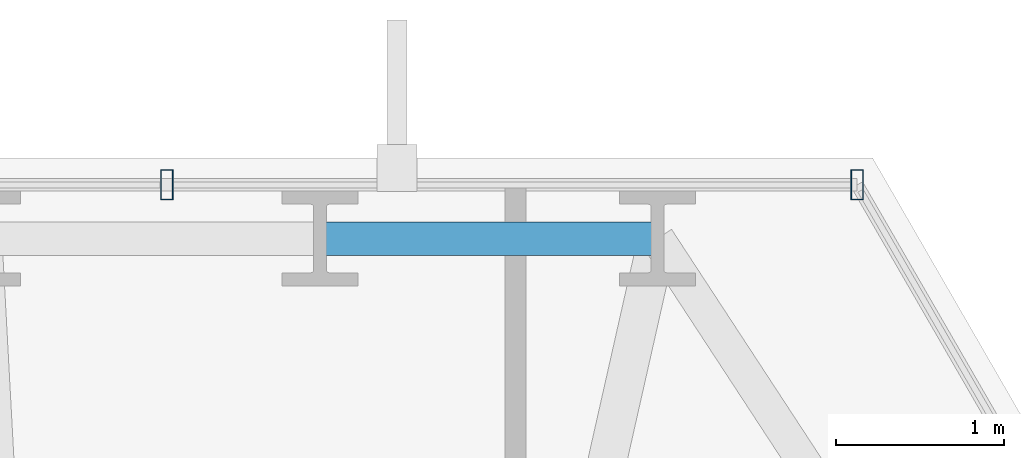
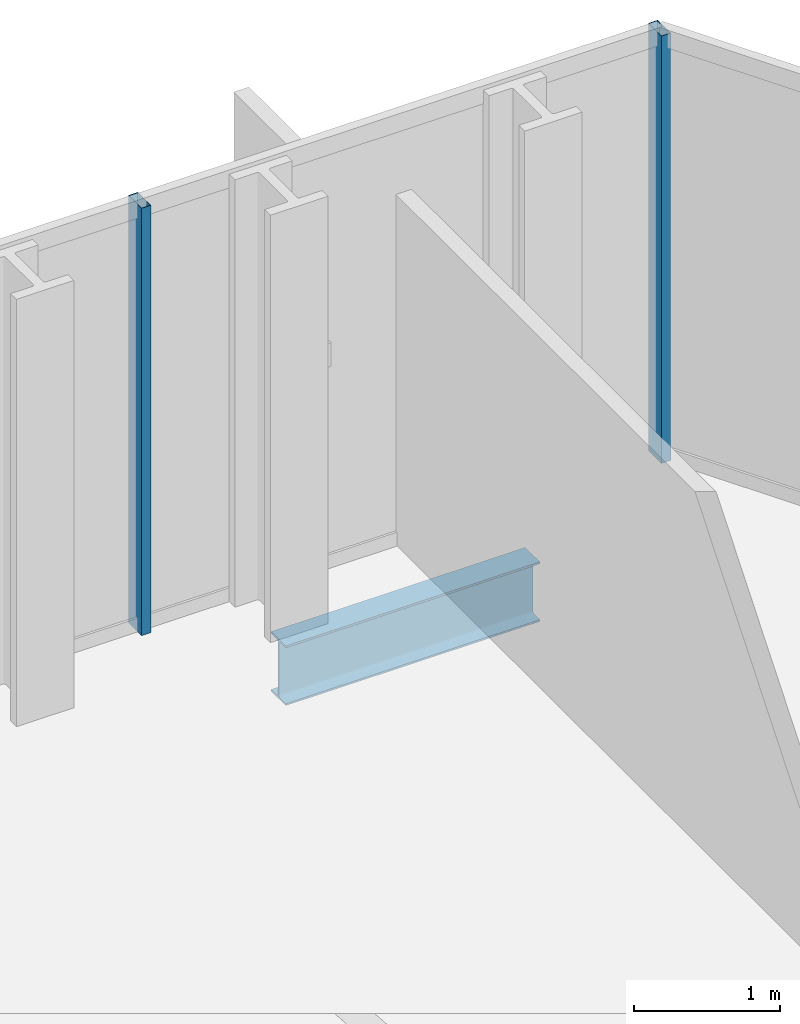
# One storey, part 24 of 33: 2 members, 1 beam, 1 element without a shape of its own.
"""IFC4 building model written with IfcOpenShell, lengths in metres."""

from ifc_helpers import new_model, si_unit, direction, frame, origin, origin_2d, place, context, subcontext, project, spatial, hollow_rectangle, i_section, extrude, material, layer, layer_set, material_profile, profile_set, type_object, element, aggregate, save


model = new_model("IFC4")

# Units and contexts
model_context = context("Model", 3, precision=1e-05, world=origin(), true_north=direction((0.0, 1.0)))
body_context = subcontext(model_context, "Body", "Model", "MODEL_VIEW")
ifc_project = project(units=[si_unit("LENGTHUNIT", "METRE"), si_unit("AREAUNIT", "SQUARE_METRE"), si_unit("VOLUMEUNIT", "CUBIC_METRE"), si_unit("PLANEANGLEUNIT", "RADIAN"), si_unit("MASSUNIT", "GRAM", prefix="KILO")], contexts=[model_context])

# Site, building, storey
site_placement = place(None, origin())
site = spatial("IfcSite", under=ifc_project, at=site_placement, CompositionType="ELEMENT")
building_placement = place(site_placement, origin())
building = spatial("IfcBuilding", under=site, at=building_placement, Name="Ndaravel Arena Tower", CompositionType="ELEMENT")
storey_placement = place(building_placement, frame((0.0, 0.0, 39.800048828125)))
storey = spatial("IfcBuildingStorey", under=building, at=storey_placement, Name="L07", CompositionType="ELEMENT", Elevation=39.800048828125)

# Beam
ifc_material_1 = material(Name="Steel S355", Category="steel")
ifc_material_profile_1 = material_profile(ifc_material_1, i_section(OverallWidth=0.199951171875, OverallDepth=0.5, WebThickness=0.01025390625, FlangeThickness=0.01611328125, FilletRadius=0.02099609375, at=origin_2d()), Name="IPE 500")
ifc_profile_set_1 = profile_set([ifc_material_profile_1], Name="Steel S355")
beam_type = type_object("IfcBeamType", Name="BM-SPAN-IPE500", PredefinedType="SPANDREL", material=ifc_profile_set_1)
beam_placement = place(storey_placement, frame((49.04736328125, 45.590087890625, -0.469970703125), z_axis=(-1.0, 0.0, 0.0), x_axis=(0.0, -1.0, 0.0)))
element("IfcBeam", 1, at=beam_placement, inside=storey, type_object=beam_type, Name="L07 Perimeter Spandrel Beam SP-11", PredefinedType="SPANDREL", context=body_context, shape_type="SweptSolid", body=[
    extrude(i_section(OverallWidth=0.199951171875, OverallDepth=0.5, WebThickness=0.01025390625, FlangeThickness=0.01611328125, FilletRadius=0.02099609375, at=origin_2d()), origin(), (0.0, 0.0, 1.0), 2.013671875),
])

# Curtain wall, members
ifc_material_2 = material(Name="Aluminium", Category="aluminium")
ifc_layer = layer(ifc_material_2, 0.179931640625)
ifc_layer_set = layer_set([ifc_layer], Name="Aluminium")
curtain_wall_type = type_object("IfcCurtainWallType", Name="CW-SYS-01", PredefinedType="NOTDEFINED", material=ifc_layer_set)
curtain_wall_placement = place(storey_placement, origin())
curtain_wall = element("IfcCurtainWall", 2, at=curtain_wall_placement, inside=storey, type_object=curtain_wall_type, Name="L07 Faceted Crystal Curtain Wall CW-L07-E04", PredefinedType="NOTDEFINED")
ifc_material_3 = material(Name="Aluminium", Category="aluminium")
ifc_material_profile_2 = material_profile(ifc_material_3, hollow_rectangle(XDim=0.074951171875, YDim=0.179931640625, WallThickness=0.00390625, at=origin_2d()), Name="CW MULLION 75x180x4")
ifc_profile_set_2 = profile_set([ifc_material_profile_2], Name="Aluminium")
member_type = type_object("IfcMemberType", Name="MEM-CW-MUL180", PredefinedType="MULLION", material=ifc_profile_set_2)
member_1_placement = place(storey_placement, frame((50.23876953125, 45.909912109375, 0.0), z_axis=(0.0, 0.0, 1.0), x_axis=(-1.0, 0.0, 0.0)))
member_1 = element("IfcMember", 3, at=member_1_placement, type_object=member_type, Name="CW-L07-E04 Mullion 00", PredefinedType="MULLION", context=body_context, shape_type="SweptSolid", body=[
    extrude(hollow_rectangle(XDim=0.074951171875, YDim=0.179931640625, WallThickness=0.00390625, at=origin_2d()), origin(), (0.0, 0.0, 1.0), 3.579833984375),
])
member_2_placement = place(storey_placement, frame((46.119384765625, 45.909912109375, 0.0), z_axis=(0.0, 0.0, 1.0), x_axis=(-1.0, 0.0, 0.0)))
member_2 = element("IfcMember", 4, at=member_2_placement, type_object=member_type, Name="CW-L07-E04 Mullion 01", PredefinedType="MULLION", context=body_context, shape_type="SweptSolid", body=[
    extrude(hollow_rectangle(XDim=0.074951171875, YDim=0.179931640625, WallThickness=0.00390625, at=origin_2d()), origin(), (0.0, 0.0, 1.0), 3.579833984375),
])
aggregate(curtain_wall, [member_1, member_2])

save(model, "model.ifc")
